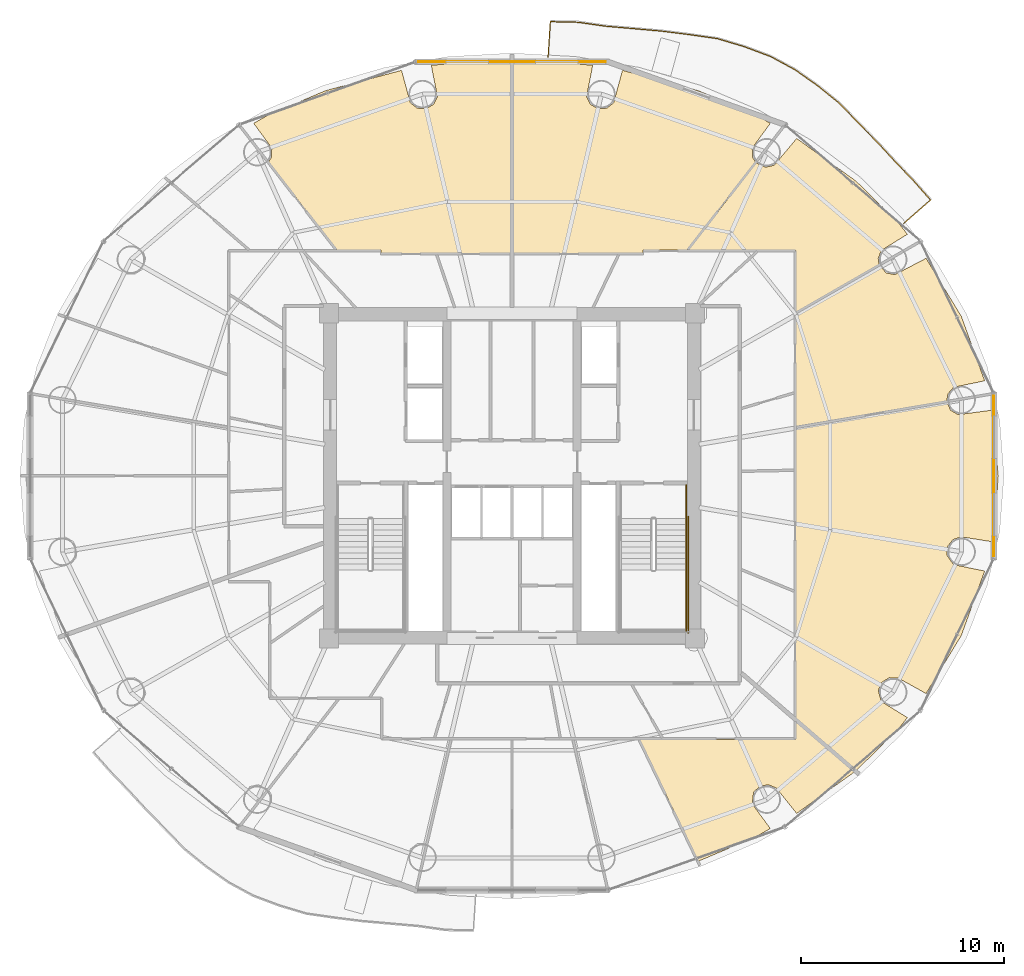
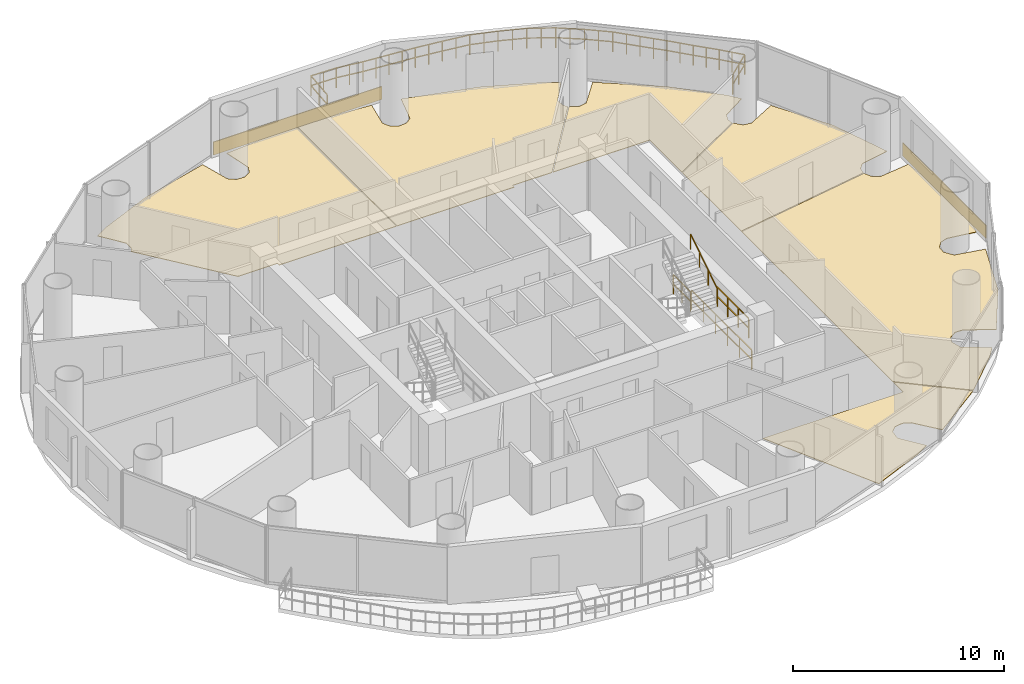
# One storey, part 27 of 27: 8 coverings, 5 railings.
"""IFC4 building model written with IfcOpenShell, lengths in metres."""

from ifc_helpers import new_model, si_unit, direction, frame, origin, origin_2d, place, context, subcontext, project, spatial, polyline, rectangle, outline, extrude, source, transform, mapped, material, layer, layer_set, type_object, element, save


model = new_model("IFC4")

# Units and contexts
model_context = context("Model", 3, precision=1e-05, world=origin(), true_north=direction((-0.2419218956, 0.970295726276)))
body_context = subcontext(model_context, "Body", "Model", "MODEL_VIEW")
ifc_project = project(units=[si_unit("LENGTHUNIT", "METRE"), si_unit("AREAUNIT", "SQUARE_METRE"), si_unit("VOLUMEUNIT", "CUBIC_METRE"), si_unit("PLANEANGLEUNIT", "RADIAN"), si_unit("MASSUNIT", "GRAM", prefix="KILO")], contexts=[model_context])

# Site, building, storey
site_placement = place(None, origin())
site = spatial("IfcSite", under=ifc_project, at=site_placement, CompositionType="ELEMENT")
building_placement = place(site_placement, origin())
building = spatial("IfcBuilding", under=site, at=building_placement, Name="Cobrevalo Terracotta Tower", CompositionType="ELEMENT")
storey_placement = place(building_placement, frame((0.0, 0.0, 149.800048828125)))
storey = spatial("IfcBuildingStorey", under=building, at=storey_placement, Name="L39", CompositionType="ELEMENT", Elevation=149.800048828125)

# Railing
ifc_material_1 = material(Name="Laminated structural glass and stainless steel", Category="steel")
railing_type_1 = type_object("IfcRailingType", Name="Balcony lobe structural glass & terracotta-cap balustrade 1180 mm", PredefinedType="BALUSTRADE", material=ifc_material_1)
railing_1_placement = place(storey_placement, frame((57.271240234375, 39.223388671875, 0.0)))
element("IfcRailing", 1, at=railing_1_placement, inside=storey, type_object=railing_type_1, Name="L39 spiralling balcony lobe balustrade 1", PredefinedType="BALUSTRADE", context=body_context, shape_type="SweptSolid", body=[
    extrude(rectangle(XDim=0.048095703125, YDim=0.048095703125, at=origin_2d()), frame((0.0, 0.0, 1.15576171875), z_axis=(0.753657392516, 0.657267475771, 0.0), x_axis=(-0.657267475771, 0.753657392516, 0.0)), (0.0, 0.0, 1.0), 1.74755859375),
    extrude(rectangle(XDim=0.048095703125, YDim=0.048095703125, at=origin_2d()), frame((0.0, 0.0, 0.58984375), z_axis=(0.753657392516, 0.657267475771, 0.0), x_axis=(-0.657267475771, 0.753657392516, 0.0)), (0.0, 0.0, 1.0), 1.74755859375),
    extrude(rectangle(XDim=0.048095703125, YDim=0.048095703125, at=origin_2d()), frame((1.317138671875, 1.148681640625, 1.15576171875), z_axis=(-0.662045415141, 0.749463720463, 0.0), x_axis=(-0.749463720463, -0.662045415141, 0.0)), (0.0, 0.0, 1.0), 1.2763671875),
    extrude(rectangle(XDim=0.048095703125, YDim=0.048095703125, at=origin_2d()), frame((1.317138671875, 1.148681640625, 0.58984375), z_axis=(-0.662045415141, 0.749463720463, 0.0), x_axis=(-0.749463720463, -0.662045415141, 0.0)), (0.0, 0.0, 1.0), 1.2763671875),
    extrude(rectangle(XDim=0.048095703125, YDim=0.048095703125, at=origin_2d()), frame((0.47216796875, 2.105224609375, 1.15576171875), z_axis=(-0.692808657241, 0.721121463036, 0.0), x_axis=(-0.721121463036, -0.692808657241, 0.0)), (0.0, 0.0, 1.0), 1.284912109375),
    extrude(rectangle(XDim=0.048095703125, YDim=0.048095703125, at=origin_2d()), frame((0.47216796875, 2.105224609375, 0.58984375), z_axis=(-0.692808657241, 0.721121463036, 0.0), x_axis=(-0.721121463036, -0.692808657241, 0.0)), (0.0, 0.0, 1.0), 1.284912109375),
    extrude(rectangle(XDim=0.048095703125, YDim=0.048095703125, at=origin_2d()), frame((-0.41796875, 3.03173828125, 1.15576171875), z_axis=(-0.677491799755, 0.735530326543, 0.0), x_axis=(-0.735530326543, -0.677491799755, 0.0)), (0.0, 0.0, 1.0), 1.2998046875),
    extrude(rectangle(XDim=0.048095703125, YDim=0.048095703125, at=origin_2d()), frame((-0.41796875, 3.03173828125, 0.58984375), z_axis=(-0.677491799755, 0.735530326543, 0.0), x_axis=(-0.735530326543, -0.677491799755, 0.0)), (0.0, 0.0, 1.0), 1.2998046875),
    extrude(rectangle(XDim=0.048095703125, YDim=0.048095703125, at=origin_2d()), frame((-1.298583984375, 3.98779296875, 1.15576171875), z_axis=(-0.701474937487, 0.712694122382, 0.0), x_axis=(-0.712694122382, -0.701474937487, 0.0)), (0.0, 0.0, 1.0), 1.327392578125),
    extrude(rectangle(XDim=0.048095703125, YDim=0.048095703125, at=origin_2d()), frame((-1.298583984375, 3.98779296875, 0.58984375), z_axis=(-0.701474937487, 0.712694122382, 0.0), x_axis=(-0.712694122382, -0.701474937487, 0.0)), (0.0, 0.0, 1.0), 1.327392578125),
    extrude(rectangle(XDim=0.048095703125, YDim=0.048095703125, at=origin_2d()), frame((-2.229736328125, 4.933837890625, 1.15576171875), z_axis=(-0.693499119816, 0.720457473287, 0.0), x_axis=(-0.720457473287, -0.693499119816, 0.0)), (0.0, 0.0, 1.0), 1.349365234375),
    extrude(rectangle(XDim=0.048095703125, YDim=0.048095703125, at=origin_2d()), frame((-2.229736328125, 4.933837890625, 0.58984375), z_axis=(-0.693499119816, 0.720457473287, 0.0), x_axis=(-0.720457473287, -0.693499119816, 0.0)), (0.0, 0.0, 1.0), 1.349365234375),
    extrude(rectangle(XDim=0.048095703125, YDim=0.048095703125, at=origin_2d()), frame((-3.16552734375, 5.906005859375, 1.15576171875), z_axis=(-0.777411816923, 0.628991945027, 0.0), x_axis=(-0.628991945027, -0.777411816923, 0.0)), (0.0, 0.0, 1.0), 1.362060546875),
    extrude(rectangle(XDim=0.048095703125, YDim=0.048095703125, at=origin_2d()), frame((-3.16552734375, 5.906005859375, 0.58984375), z_axis=(-0.777411816923, 0.628991945027, 0.0), x_axis=(-0.628991945027, -0.777411816923, 0.0)), (0.0, 0.0, 1.0), 1.362060546875),
    extrude(rectangle(XDim=0.048095703125, YDim=0.048095703125, at=origin_2d()), frame((-4.224365234375, 6.7626953125, 1.15576171875), z_axis=(-0.81663686651, 0.577151824269, 0.0), x_axis=(-0.577151824269, -0.81663686651, 0.0)), (0.0, 0.0, 1.0), 1.3701171875),
    extrude(rectangle(XDim=0.048095703125, YDim=0.048095703125, at=origin_2d()), frame((-4.224365234375, 6.7626953125, 0.58984375), z_axis=(-0.81663686651, 0.577151824269, 0.0), x_axis=(-0.577151824269, -0.81663686651, 0.0)), (0.0, 0.0, 1.0), 1.3701171875),
    extrude(rectangle(XDim=0.048095703125, YDim=0.048095703125, at=origin_2d()), frame((-5.34326171875, 7.553466796875, 1.15576171875), z_axis=(-0.87921123953, 0.476432152866, 0.0), x_axis=(-0.476432152866, -0.87921123953, 0.0)), (0.0, 0.0, 1.0), 1.372314453125),
    extrude(rectangle(XDim=0.048095703125, YDim=0.048095703125, at=origin_2d()), frame((-5.34326171875, 7.553466796875, 0.58984375), z_axis=(-0.87921123953, 0.476432152866, 0.0), x_axis=(-0.476432152866, -0.87921123953, 0.0)), (0.0, 0.0, 1.0), 1.372314453125),
    extrude(rectangle(XDim=0.048095703125, YDim=0.048095703125, at=origin_2d()), frame((-6.5498046875, 8.207275390625, 1.15576171875), z_axis=(-0.936524620005, 0.350601819911, 0.0), x_axis=(-0.350601819911, -0.936524620005, 0.0)), (0.0, 0.0, 1.0), 1.385009765625),
    extrude(rectangle(XDim=0.048095703125, YDim=0.048095703125, at=origin_2d()), frame((-6.5498046875, 8.207275390625, 0.58984375), z_axis=(-0.936524620005, 0.350601819911, 0.0), x_axis=(-0.350601819911, -0.936524620005, 0.0)), (0.0, 0.0, 1.0), 1.385009765625),
    extrude(rectangle(XDim=0.048095703125, YDim=0.048095703125, at=origin_2d()), frame((-7.846923828125, 8.69287109375, 1.15576171875), z_axis=(-0.95814225208, 0.286292551037, 0.0), x_axis=(-0.286292551037, -0.95814225208, 0.0)), (0.0, 0.0, 1.0), 1.3798828125),
    extrude(rectangle(XDim=0.048095703125, YDim=0.048095703125, at=origin_2d()), frame((-7.846923828125, 8.69287109375, 0.58984375), z_axis=(-0.95814225208, 0.286292551037, 0.0), x_axis=(-0.286292551037, -0.95814225208, 0.0)), (0.0, 0.0, 1.0), 1.3798828125),
    extrude(rectangle(XDim=0.048095703125, YDim=0.048095703125, at=origin_2d()), frame((-9.1689453125, 9.087890625, 1.15576171875), z_axis=(-0.98984482828, 0.14215208731, 0.0), x_axis=(-0.14215208731, -0.98984482828, 0.0)), (0.0, 0.0, 1.0), 1.403076171875),
    extrude(rectangle(XDim=0.048095703125, YDim=0.048095703125, at=origin_2d()), frame((-9.1689453125, 9.087890625, 0.58984375), z_axis=(-0.98984482828, 0.14215208731, 0.0), x_axis=(-0.14215208731, -0.98984482828, 0.0)), (0.0, 0.0, 1.0), 1.403076171875),
    extrude(rectangle(XDim=0.048095703125, YDim=0.048095703125, at=origin_2d()), frame((-10.557861328125, 9.287353515625, 1.15576171875), z_axis=(-0.992310347211, 0.12377469377, 0.0), x_axis=(-0.12377469377, -0.992310347211, 0.0)), (0.0, 0.0, 1.0), 1.38671875),
    extrude(rectangle(XDim=0.048095703125, YDim=0.048095703125, at=origin_2d()), frame((-10.557861328125, 9.287353515625, 0.58984375), z_axis=(-0.992310347211, 0.12377469377, 0.0), x_axis=(-0.12377469377, -0.992310347211, 0.0)), (0.0, 0.0, 1.0), 1.38671875),
    extrude(rectangle(XDim=0.048095703125, YDim=0.048095703125, at=origin_2d()), frame((-11.933837890625, 9.458984375, 1.15576171875), z_axis=(-0.996178510826, 0.087340566572, 0.0), x_axis=(-0.087340566572, -0.996178510826, 0.0)), (0.0, 0.0, 1.0), 1.378173828125),
    extrude(rectangle(XDim=0.048095703125, YDim=0.048095703125, at=origin_2d()), frame((-11.933837890625, 9.458984375, 0.58984375), z_axis=(-0.996178510826, 0.087340566572, 0.0), x_axis=(-0.087340566572, -0.996178510826, 0.0)), (0.0, 0.0, 1.0), 1.378173828125),
    extrude(rectangle(XDim=0.048095703125, YDim=0.048095703125, at=origin_2d()), frame((-13.306640625, 9.579345703125, 1.15576171875), z_axis=(-0.996212454728, 0.086952544788, 0.0), x_axis=(-0.086952544788, -0.996212454728, 0.0)), (0.0, 0.0, 1.0), 1.3701171875),
    extrude(rectangle(XDim=0.048095703125, YDim=0.048095703125, at=origin_2d()), frame((-13.306640625, 9.579345703125, 0.58984375), z_axis=(-0.996212454728, 0.086952544788, 0.0), x_axis=(-0.086952544788, -0.996212454728, 0.0)), (0.0, 0.0, 1.0), 1.3701171875),
    extrude(rectangle(XDim=0.048095703125, YDim=0.048095703125, at=origin_2d()), frame((-14.671630859375, 9.698486328125, 1.15576171875), z_axis=(-0.990053309455, 0.14069273058, 0.0), x_axis=(-0.14069273058, -0.990053309455, 0.0)), (0.0, 0.0, 1.0), 1.3603515625),
    extrude(rectangle(XDim=0.048095703125, YDim=0.048095703125, at=origin_2d()), frame((-14.671630859375, 9.698486328125, 0.58984375), z_axis=(-0.990053309455, 0.14069273058, 0.0), x_axis=(-0.14069273058, -0.990053309455, 0.0)), (0.0, 0.0, 1.0), 1.3603515625),
    extrude(rectangle(XDim=0.048095703125, YDim=0.048095703125, at=origin_2d()), frame((-16.0185546875, 9.889892578125, 1.15576171875), z_axis=(-0.999709238111, 0.024113051125, 0.0), x_axis=(-0.024113051125, -0.999709238111, 0.0)), (0.0, 0.0, 1.0), 1.366943359375),
    extrude(rectangle(XDim=0.048095703125, YDim=0.048095703125, at=origin_2d()), frame((-16.0185546875, 9.889892578125, 0.58984375), z_axis=(-0.999709238111, 0.024113051125, 0.0), x_axis=(-0.024113051125, -0.999709238111, 0.0)), (0.0, 0.0, 1.0), 1.366943359375),
    extrude(rectangle(XDim=0.048095703125, YDim=0.048095703125, at=origin_2d()), frame((-17.385009765625, 9.9228515625, 1.15576171875), z_axis=(-0.063566346946, -0.997977614747, 0.0), x_axis=(0.997977614747, -0.063566346946, 0.0)), (0.0, 0.0, 1.0), 1.73974609375),
    extrude(rectangle(XDim=0.048095703125, YDim=0.048095703125, at=origin_2d()), frame((-17.385009765625, 9.9228515625, 0.58984375), z_axis=(-0.063566346946, -0.997977614747, 0.0), x_axis=(0.997977614747, -0.063566346946, 0.0)), (0.0, 0.0, 1.0), 1.73974609375),
    extrude(rectangle(XDim=0.0419921875, YDim=0.0419921875, at=origin_2d()), origin(), (0.0, 0.0, 1.0), 1.1318359375),
    extrude(rectangle(XDim=0.0419921875, YDim=0.0419921875, at=origin_2d()), frame((0.65869140625, 0.57421875, 0.0)), (0.0, 0.0, 1.0), 1.1318359375),
    extrude(rectangle(XDim=0.0419921875, YDim=0.0419921875, at=origin_2d()), frame((1.317138671875, 1.148681640625, 0.0)), (0.0, 0.0, 1.0), 1.1318359375),
    extrude(rectangle(XDim=0.0419921875, YDim=0.0419921875, at=origin_2d()), frame((0.89453125, 1.626953125, 0.0)), (0.0, 0.0, 1.0), 1.1318359375),
    extrude(rectangle(XDim=0.0419921875, YDim=0.0419921875, at=origin_2d()), frame((0.47216796875, 2.105224609375, 0.0)), (0.0, 0.0, 1.0), 1.1318359375),
    extrude(rectangle(XDim=0.0419921875, YDim=0.0419921875, at=origin_2d()), frame((0.027099609375, 2.568359375, 0.0)), (0.0, 0.0, 1.0), 1.1318359375),
    extrude(rectangle(XDim=0.0419921875, YDim=0.0419921875, at=origin_2d()), frame((-0.41796875, 3.03173828125, 0.0)), (0.0, 0.0, 1.0), 1.1318359375),
    extrude(rectangle(XDim=0.0419921875, YDim=0.0419921875, at=origin_2d()), frame((-0.8583984375, 3.509765625, 0.0)), (0.0, 0.0, 1.0), 1.1318359375),
    extrude(rectangle(XDim=0.0419921875, YDim=0.0419921875, at=origin_2d()), frame((-1.298583984375, 3.98779296875, 0.0)), (0.0, 0.0, 1.0), 1.1318359375),
    extrude(rectangle(XDim=0.0419921875, YDim=0.0419921875, at=origin_2d()), frame((-1.76416015625, 4.4609375, 0.0)), (0.0, 0.0, 1.0), 1.1318359375),
    extrude(rectangle(XDim=0.0419921875, YDim=0.0419921875, at=origin_2d()), frame((-2.229736328125, 4.933837890625, 0.0)), (0.0, 0.0, 1.0), 1.1318359375),
    extrude(rectangle(XDim=0.0419921875, YDim=0.0419921875, at=origin_2d()), frame((-2.69775390625, 5.419921875, 0.0)), (0.0, 0.0, 1.0), 1.1318359375),
    extrude(rectangle(XDim=0.0419921875, YDim=0.0419921875, at=origin_2d()), frame((-3.16552734375, 5.906005859375, 0.0)), (0.0, 0.0, 1.0), 1.1318359375),
    extrude(rectangle(XDim=0.0419921875, YDim=0.0419921875, at=origin_2d()), frame((-3.69482421875, 6.33447265625, 0.0)), (0.0, 0.0, 1.0), 1.1318359375),
    extrude(rectangle(XDim=0.0419921875, YDim=0.0419921875, at=origin_2d()), frame((-4.224365234375, 6.7626953125, 0.0)), (0.0, 0.0, 1.0), 1.1318359375),
    extrude(rectangle(XDim=0.0419921875, YDim=0.0419921875, at=origin_2d()), frame((-4.78369140625, 7.158203125, 0.0)), (0.0, 0.0, 1.0), 1.1318359375),
    extrude(rectangle(XDim=0.0419921875, YDim=0.0419921875, at=origin_2d()), frame((-5.34326171875, 7.553466796875, 0.0)), (0.0, 0.0, 1.0), 1.1318359375),
    extrude(rectangle(XDim=0.0419921875, YDim=0.0419921875, at=origin_2d()), frame((-5.946533203125, 7.88037109375, 0.0)), (0.0, 0.0, 1.0), 1.1318359375),
    extrude(rectangle(XDim=0.0419921875, YDim=0.0419921875, at=origin_2d()), frame((-6.5498046875, 8.207275390625, 0.0)), (0.0, 0.0, 1.0), 1.1318359375),
    extrude(rectangle(XDim=0.0419921875, YDim=0.0419921875, at=origin_2d()), frame((-7.1982421875, 8.4501953125, 0.0)), (0.0, 0.0, 1.0), 1.1318359375),
    extrude(rectangle(XDim=0.0419921875, YDim=0.0419921875, at=origin_2d()), frame((-7.846923828125, 8.69287109375, 0.0)), (0.0, 0.0, 1.0), 1.1318359375),
    extrude(rectangle(XDim=0.0419921875, YDim=0.0419921875, at=origin_2d()), frame((-8.5078125, 8.890380859375, 0.0)), (0.0, 0.0, 1.0), 1.1318359375),
    extrude(rectangle(XDim=0.0419921875, YDim=0.0419921875, at=origin_2d()), frame((-9.1689453125, 9.087890625, 0.0)), (0.0, 0.0, 1.0), 1.1318359375),
    extrude(rectangle(XDim=0.0419921875, YDim=0.0419921875, at=origin_2d()), frame((-9.86328125, 9.1875, 0.0)), (0.0, 0.0, 1.0), 1.1318359375),
    extrude(rectangle(XDim=0.0419921875, YDim=0.0419921875, at=origin_2d()), frame((-10.557861328125, 9.287353515625, 0.0)), (0.0, 0.0, 1.0), 1.1318359375),
    extrude(rectangle(XDim=0.0419921875, YDim=0.0419921875, at=origin_2d()), frame((-11.245849609375, 9.373046875, 0.0)), (0.0, 0.0, 1.0), 1.1318359375),
    extrude(rectangle(XDim=0.0419921875, YDim=0.0419921875, at=origin_2d()), frame((-11.933837890625, 9.458984375, 0.0)), (0.0, 0.0, 1.0), 1.1318359375),
    extrude(rectangle(XDim=0.0419921875, YDim=0.0419921875, at=origin_2d()), frame((-12.6201171875, 9.51904296875, 0.0)), (0.0, 0.0, 1.0), 1.1318359375),
    extrude(rectangle(XDim=0.0419921875, YDim=0.0419921875, at=origin_2d()), frame((-13.306640625, 9.579345703125, 0.0)), (0.0, 0.0, 1.0), 1.1318359375),
    extrude(rectangle(XDim=0.0419921875, YDim=0.0419921875, at=origin_2d()), frame((-13.9892578125, 9.638916015625, 0.0)), (0.0, 0.0, 1.0), 1.1318359375),
    extrude(rectangle(XDim=0.0419921875, YDim=0.0419921875, at=origin_2d()), frame((-14.671630859375, 9.698486328125, 0.0)), (0.0, 0.0, 1.0), 1.1318359375),
    extrude(rectangle(XDim=0.0419921875, YDim=0.0419921875, at=origin_2d()), frame((-15.34521484375, 9.794189453125, 0.0)), (0.0, 0.0, 1.0), 1.1318359375),
    extrude(rectangle(XDim=0.0419921875, YDim=0.0419921875, at=origin_2d()), frame((-16.0185546875, 9.889892578125, 0.0)), (0.0, 0.0, 1.0), 1.1318359375),
    extrude(rectangle(XDim=0.0419921875, YDim=0.0419921875, at=origin_2d()), frame((-16.70166015625, 9.90625, 0.0)), (0.0, 0.0, 1.0), 1.1318359375),
    extrude(rectangle(XDim=0.0419921875, YDim=0.0419921875, at=origin_2d()), frame((-17.385009765625, 9.9228515625, 0.0)), (0.0, 0.0, 1.0), 1.1318359375),
    extrude(rectangle(XDim=0.0419921875, YDim=0.0419921875, at=origin_2d()), frame((-17.4404296875, 9.0546875, 0.0)), (0.0, 0.0, 1.0), 1.1318359375),
    extrude(rectangle(XDim=0.0419921875, YDim=0.0419921875, at=origin_2d()), frame((-17.49560546875, 8.1865234375, 0.0)), (0.0, 0.0, 1.0), 1.1318359375),
])

# Coverings
ifc_material_2 = material(Name="Engineered Brazilian hardwood flooring", Category="wood")
ifc_layer_1 = layer(ifc_material_2, 0.028076171875)
ifc_layer_set_1 = layer_set([ifc_layer_1], Name="Engineered Brazilian hardwood flooring")
covering_type_1 = type_object("IfcCoveringType", Name="Engineered Hardwood Suite Flooring 28", PredefinedType="FLOORING", material=ifc_layer_set_1)
covering_1_placement = place(storey_placement, origin())
element("IfcCovering", 2, at=covering_1_placement, inside=storey, type_object=covering_type_1, Name="Flat L39A Penthouse Living and Dining Room floor finish", PredefinedType="FLOORING", context=body_context, shape_type="SweptSolid", body=[
    extrude(outline(polyline([(28.84521484375, 45.757568359375), (32.567138671875, 46.75), (32.99951171875, 45.150390625), (33.3408203125, 44.88916015625), (33.76953125, 44.861328125), (34.141357421875, 45.07666015625), (34.3310546875, 45.462158203125), (34.02880859375, 46.99951171875), (37.97998046875, 47.31884765625), (37.97998046875, 37.7451171875), (31.554931640625, 37.7451171875), (31.554931640625, 37.905029296875), (29.392333984375, 37.905029296875), (26.02490234375, 42.236572265625), (26.175537109375, 42.4931640625), (26.184326171875, 42.9228515625), (25.295166015625, 44.143798828125), (26.038818359375, 44.5703125), (28.84521484375, 45.757568359375)])), origin(), (0.0, 0.0, 1.0), 0.030029296875),
])
covering_2_placement = place(storey_placement, origin())
element("IfcCovering", 3, at=covering_2_placement, inside=storey, type_object=covering_type_1, Name="Flat L39B Penthouse Family Lounge floor finish", PredefinedType="FLOORING", context=body_context, shape_type="SweptSolid", body=[
    extrude(outline(polyline([(47.156982421875, 7.84521484375), (44.265380859375, 13.844970703125), (51.955078125, 13.844970703125), (51.955078125, 14.779296875), (54.880126953125, 12.264892578125), (52.00244140625, 10.2001953125), (51.00927734375, 11.439697265625), (50.61572265625, 11.6123046875), (50.192626953125, 11.537109375), (49.8828125, 11.239501953125), (49.815673828125, 10.67724609375), (50.704833984375, 9.4560546875), (49.961181640625, 9.02978515625), (47.156982421875, 7.84521484375)])), origin(), (0.0, 0.0, 1.0), 0.030029296875),
])
covering_3_placement = place(storey_placement, origin())
element("IfcCovering", 4, at=covering_3_placement, inside=storey, type_object=covering_type_1, Name="Flat L39C Penthouse Living and Dining Room floor finish", PredefinedType="FLOORING", context=body_context, shape_type="SweptSolid", body=[
    extrude(outline(polyline([(58.367431640625, 16.09375), (56.982177734375, 16.863525390625), (56.552734375, 16.874267578125), (56.189697265625, 16.64453125), (56.01513671875, 16.251953125), (56.165771484375, 15.705810546875), (57.448486328125, 14.91357421875), (56.97802734375, 14.309326171875), (54.9111328125, 12.291015625), (51.955078125, 14.83203125), (51.955078125, 29.16552734375), (59.388427734375, 30.436279296875), (59.578369140625, 30.028076171875), (59.951416015625, 29.814697265625), (61.58642578125, 30.03369140625), (61.919921875, 26.800048828125), (61.71533203125, 24.1220703125), (61.58642578125, 23.566162109375), (60.09521484375, 23.8037109375), (59.687744140625, 23.667236328125), (59.425048828125, 23.327392578125), (59.395263671875, 22.898681640625), (59.7236328125, 22.43701171875), (61.251708984375, 22.121826171875), (60.099609375, 18.948486328125), (58.367431640625, 16.09375)])), origin(), (0.0, 0.0, 1.0), 0.030029296875),
])
covering_4_placement = place(storey_placement, origin())
element("IfcCovering", 5, at=covering_4_placement, inside=storey, type_object=covering_type_1, Name="Flat L39C Master Bedroom floor finish", PredefinedType="FLOORING", context=body_context, shape_type="SweptSolid", body=[
    extrude(outline(polyline([(56.070068359375, 37.154541015625), (56.417236328125, 36.77783203125), (56.8408203125, 36.70458984375), (58.367431640625, 37.50634765625), (60.099609375, 34.651611328125), (61.251708984375, 31.478271484375), (59.7236328125, 31.1630859375), (59.44140625, 30.8388671875), (59.382568359375, 30.47607421875), (51.955078125, 29.2060546875), (51.955078125, 34.791259765625), (56.070068359375, 37.154541015625)])), origin(), (0.0, 0.0, 1.0), 0.030029296875),
])
covering_5_placement = place(storey_placement, origin())
element("IfcCovering", 6, at=covering_5_placement, inside=storey, type_object=covering_type_1, Name="Flat L39C Principal Guest Bedroom floor finish", PredefinedType="FLOORING", context=body_context, shape_type="SweptSolid", body=[
    extrude(outline(polyline([(46.658447265625, 37.905029296875), (50.002197265625, 42.20654296875), (50.470703125, 41.98486328125), (50.890380859375, 42.0771484375), (52.00244140625, 43.39990234375), (54.9150390625, 41.308837890625), (56.97802734375, 39.29052734375), (57.448486328125, 38.6865234375), (56.165771484375, 37.89404296875), (56.011474609375, 37.4931640625), (56.05615234375, 37.192626953125), (51.955078125, 34.83740234375), (51.955078125, 37.905029296875), (46.658447265625, 37.905029296875)])), origin(), (0.0, 0.0, 1.0), 0.030029296875),
])
covering_6_placement = place(storey_placement, origin())
element("IfcCovering", 7, at=covering_6_placement, inside=storey, type_object=covering_type_1, Name="Flat L39C Penthouse Family Lounge floor finish", PredefinedType="FLOORING", context=body_context, shape_type="SweptSolid", body=[
    extrude(outline(polyline([(44.445068359375, 37.7451171875), (38.02001953125, 37.7451171875), (38.02001953125, 47.31884765625), (41.97119140625, 46.99951171875), (41.6689453125, 45.462158203125), (41.858642578125, 45.07666015625), (42.23046875, 44.861328125), (42.6591796875, 44.88916015625), (43.00048828125, 45.150390625), (43.432861328125, 46.75), (47.15478515625, 45.757568359375), (49.961181640625, 44.5703125), (50.704833984375, 44.143798828125), (49.815673828125, 42.9228515625), (49.824462890625, 42.4931640625), (49.97509765625, 42.236572265625), (46.607666015625, 37.905029296875), (44.445068359375, 37.905029296875), (44.445068359375, 37.7451171875)])), origin(), (0.0, 0.0, 1.0), 0.030029296875),
])

# Railings
ifc_material_3 = material(Name="Brushed stainless steel", Category="steel")
railing_type_2 = type_object("IfcRailingType", Name="Stainless Steel Stair Handrail 900", PredefinedType="HANDRAIL", material=ifc_material_3)
railing_2_placement = place(storey_placement, frame((46.574951171875, 22.179931640625, 1.97998046875)))
element("IfcRailing", 8, at=railing_2_placement, inside=storey, type_object=railing_type_2, Name="L39 ST-2 stair handrail 2", PredefinedType="HANDRAIL", context=body_context, shape_type="SweptSolid", body=[
    extrude(rectangle(XDim=0.048095703125, YDim=0.048095703125, at=origin_2d()), frame((0.0, 0.0, 0.8759765625), z_axis=(0.0, 0.841199657755, 0.540724639528), x_axis=(-1.0, 0.0, 0.0)), (0.0, 0.0, 1.0), 2.995849609375),
    extrude(rectangle(XDim=0.0419921875, YDim=0.0419921875, at=origin_2d()), origin(), (0.0, 0.0, 1.0), 0.851806640625),
    extrude(rectangle(XDim=0.0419921875, YDim=0.0419921875, at=origin_2d()), frame((0.0, 0.840087890625, 0.5400390625)), (0.0, 0.0, 1.0), 0.851806640625),
    extrude(rectangle(XDim=0.0419921875, YDim=0.0419921875, at=origin_2d()), frame((0.0, 1.679931640625, 1.079833984375)), (0.0, 0.0, 1.0), 0.851806640625),
    extrude(rectangle(XDim=0.0419921875, YDim=0.0419921875, at=origin_2d()), frame((0.0, 2.52001953125, 1.619873046875)), (0.0, 0.0, 1.0), 0.851806640625),
])
ifc_material_4 = material(Name="Painted galvanized steel", Category="steel")
railing_type_3 = type_object("IfcRailingType", Name="Stair Well Guard Balustrade 1150", PredefinedType="GUARDRAIL", material=ifc_material_4)
railing_3_placement = place(storey_placement, frame((46.574951171875, 22.179931640625, 1.800048828125)))
element("IfcRailing", 9, at=railing_3_placement, inside=storey, type_object=railing_type_3, Name="L39 ST-2 stair guard 4", PredefinedType="GUARDRAIL", context=body_context, shape_type="SweptSolid", body=[
    extrude(rectangle(XDim=0.048095703125, YDim=0.048095703125, at=origin_2d()), frame((0.0, 0.0, 1.1259765625), z_axis=(0.0, -1.0, 0.0), x_axis=(1.0, 0.0, 0.0)), (0.0, 0.0, 1.0), 3.0048828125),
    extrude(rectangle(XDim=0.048095703125, YDim=0.048095703125, at=origin_2d()), frame((0.0, 0.0, 0.574951171875), z_axis=(0.0, -1.0, 0.0), x_axis=(1.0, 0.0, 0.0)), (0.0, 0.0, 1.0), 3.0048828125),
    extrude(rectangle(XDim=0.0419921875, YDim=0.0419921875, at=origin_2d()), origin(), (0.0, 0.0, 1.0), 1.101806640625),
    extrude(rectangle(XDim=0.0419921875, YDim=0.0419921875, at=origin_2d()), frame((0.0, -1.001708984375, 0.0)), (0.0, 0.0, 1.0), 1.101806640625),
    extrude(rectangle(XDim=0.0419921875, YDim=0.0419921875, at=origin_2d()), frame((0.0, -2.003173828125, 0.0)), (0.0, 0.0, 1.0), 1.101806640625),
    extrude(rectangle(XDim=0.0419921875, YDim=0.0419921875, at=origin_2d()), frame((0.0, -3.0048828125, 0.0)), (0.0, 0.0, 1.0), 1.101806640625),
])
railing_4_placement = place(storey_placement, frame((46.574951171875, 26.35009765625, 0.0)))
element("IfcRailing", 10, at=railing_4_placement, inside=storey, type_object=railing_type_3, Name="L39 ST-2 stair guard 9", PredefinedType="GUARDRAIL", context=body_context, shape_type="SweptSolid", body=[
    extrude(rectangle(XDim=0.048095703125, YDim=0.048095703125, at=origin_2d()), frame((0.0, 0.0, 1.1259765625), z_axis=(0.0, -1.0, 0.0), x_axis=(1.0, 0.0, 0.0)), (0.0, 0.0, 1.0), 1.650146484375),
    extrude(rectangle(XDim=0.048095703125, YDim=0.048095703125, at=origin_2d()), frame((0.0, 0.0, 0.574951171875), z_axis=(0.0, -1.0, 0.0), x_axis=(1.0, 0.0, 0.0)), (0.0, 0.0, 1.0), 1.650146484375),
    extrude(rectangle(XDim=0.0419921875, YDim=0.0419921875, at=origin_2d()), origin(), (0.0, 0.0, 1.0), 1.101806640625),
    extrude(rectangle(XDim=0.0419921875, YDim=0.0419921875, at=origin_2d()), frame((0.0, -0.8251953125, 0.0)), (0.0, 0.0, 1.0), 1.101806640625),
    extrude(rectangle(XDim=0.0419921875, YDim=0.0419921875, at=origin_2d()), frame((0.0, -1.650146484375, 0.0)), (0.0, 0.0, 1.0), 1.101806640625),
])
railing_5_placement = place(storey_placement, frame((46.675048828125, 24.800048828125, 0.0)))
element("IfcRailing", 11, at=railing_5_placement, inside=storey, type_object=railing_type_3, Name="L39 ST-2 stair guard 11", PredefinedType="GUARDRAIL", context=body_context, shape_type="SweptSolid", body=[
    extrude(rectangle(XDim=0.048095703125, YDim=0.048095703125, at=origin_2d()), frame((0.0, 0.0, 1.1259765625), z_axis=(0.0, -1.0, 0.0), x_axis=(1.0, 0.0, 0.0)), (0.0, 0.0, 1.0), 5.72509765625),
    extrude(rectangle(XDim=0.048095703125, YDim=0.048095703125, at=origin_2d()), frame((0.0, 0.0, 0.574951171875), z_axis=(0.0, -1.0, 0.0), x_axis=(1.0, 0.0, 0.0)), (0.0, 0.0, 1.0), 5.72509765625),
    extrude(rectangle(XDim=0.0419921875, YDim=0.0419921875, at=origin_2d()), origin(), (0.0, 0.0, 1.0), 1.101806640625),
    extrude(rectangle(XDim=0.0419921875, YDim=0.0419921875, at=origin_2d()), frame((0.0, -1.14501953125, 0.0)), (0.0, 0.0, 1.0), 1.101806640625),
    extrude(rectangle(XDim=0.0419921875, YDim=0.0419921875, at=origin_2d()), frame((0.0, -2.2900390625, 0.0)), (0.0, 0.0, 1.0), 1.101806640625),
    extrude(rectangle(XDim=0.0419921875, YDim=0.0419921875, at=origin_2d()), frame((0.0, -3.43505859375, 0.0)), (0.0, 0.0, 1.0), 1.101806640625),
    extrude(rectangle(XDim=0.0419921875, YDim=0.0419921875, at=origin_2d()), frame((0.0, -4.580078125, 0.0)), (0.0, 0.0, 1.0), 1.101806640625),
    extrude(rectangle(XDim=0.0419921875, YDim=0.0419921875, at=origin_2d()), frame((0.0, -5.72509765625, 0.0)), (0.0, 0.0, 1.0), 1.101806640625),
])

# Coverings
ifc_material_5 = material(Name="Glazed terracotta facade cladding tile", Category="masonry")
ifc_layer_2 = layer(ifc_material_5, 0.044921875)
ifc_layer_set_2 = layer_set([ifc_layer_2], Name="Glazed terracotta facade cladding tile")
covering_type_2 = type_object("IfcCoveringType", Name="Architectural terracotta rainscreen spandrel cladding 45 mm", PredefinedType="CLADDING", material=ifc_layer_set_2)
shared_shape_1 = source(origin(), body_context, "Body", "SweptSolid", [
    extrude(rectangle(XDim=9.230712890625, YDim=0.044921875, at=origin_2d()), origin(), (0.0, 0.0, 1.0), 0.760009765625),
])
covering_7_placement = place(storey_placement, frame((38.0, 47.1708984375, 0.0400390625), z_axis=(0.0, 0.0, 1.0), x_axis=(-1.0, 0.0, 0.0)))
element("IfcCovering", 12, at=covering_7_placement, inside=storey, type_object=covering_type_2, Name="L39 terracotta spandrel cladding S04", PredefinedType="CLADDING", context=body_context, shape_type="MappedRepresentation", body=[
    mapped(shared_shape_1, transform((0.0, 0.0, 0.0), scale=1.0)),
])
shared_shape_2 = source(origin(), body_context, "Body", "SweptSolid", [
    extrude(rectangle(XDim=7.904052734375, YDim=0.044921875, at=origin_2d()), origin(), (0.0, 0.0, 1.0), 0.760009765625),
])
covering_8_placement = place(storey_placement, frame((61.70556640625, 26.800048828125, 0.0400390625), z_axis=(0.0, 0.0, 1.0), x_axis=(0.0, 1.0, 0.0)))
element("IfcCovering", 13, at=covering_8_placement, inside=storey, type_object=covering_type_2, Name="L39 terracotta spandrel cladding S16", PredefinedType="CLADDING", context=body_context, shape_type="MappedRepresentation", body=[
    mapped(shared_shape_2, transform((0.0, 0.0, 0.0), scale=1.0)),
])

save(model, "model.ifc")
